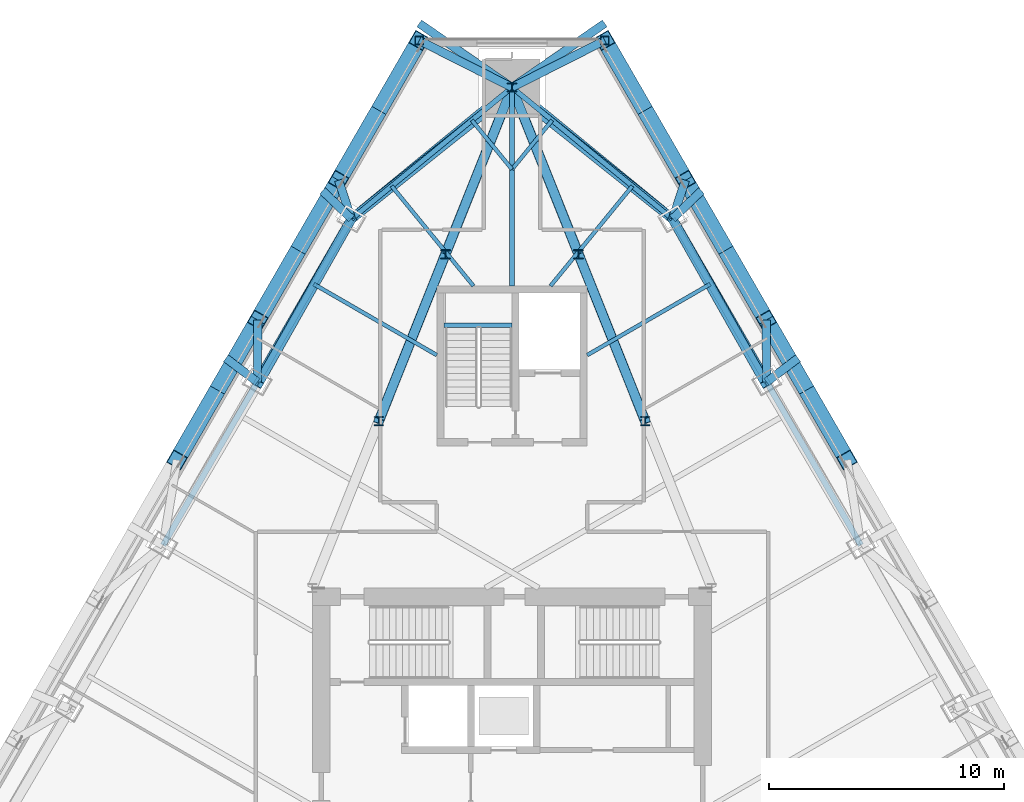
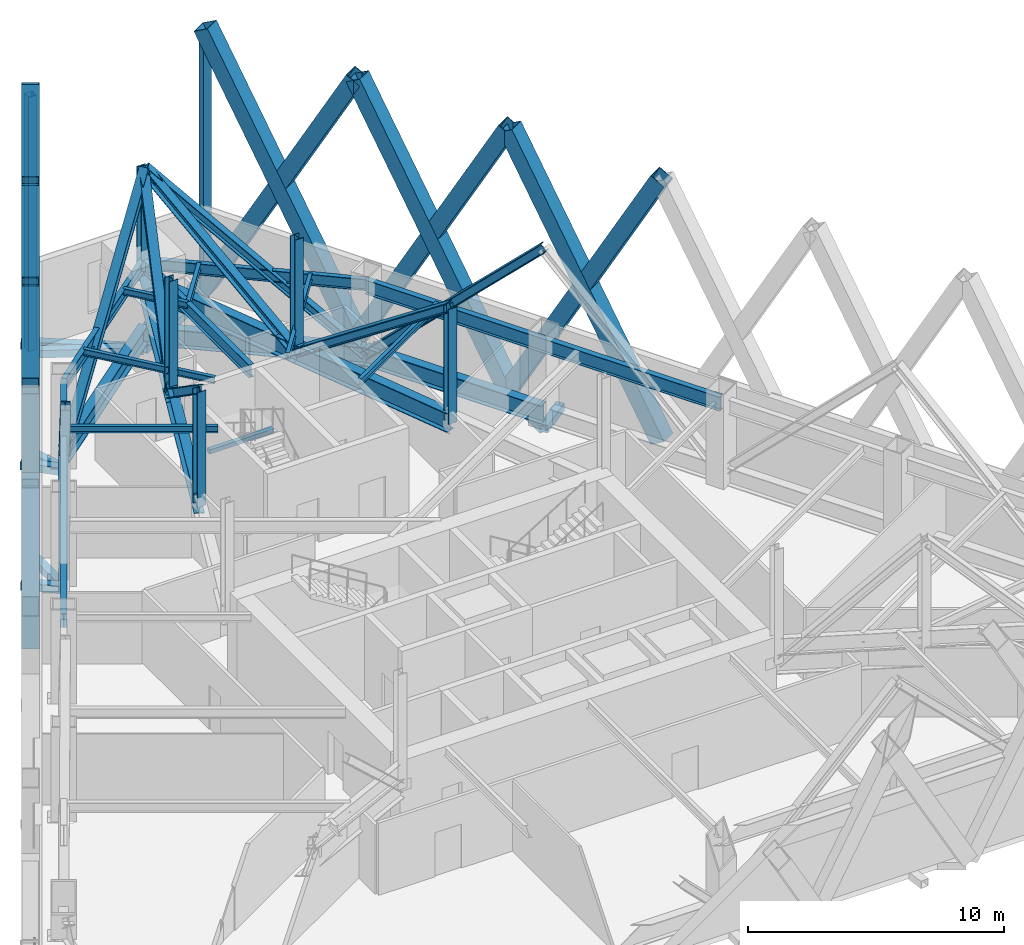
# One storey, part 5 of 16: 47 members, 12 beams.
"""IFC4 building model written with IfcOpenShell, lengths in metres."""

import ifcopenshell
import ifcopenshell.guid

model = None  # the IFC model being written
_history = None  # IfcOwnerHistory: only IFC2X3 demands one
_inside = {}  # id of a spatial element -> (the spatial element, [elements in it])
_under = {}  # id of a project, library or spatial element -> (it, [spatial elements below it])
_declared = {}  # id of a project -> (the project, [libraries it declares])
_typed = {}  # id of a type object -> (the type object, [elements of that type])
_made_of = {}  # id of a material, layer set ... -> (it, [elements and type objects made of it])


def new_model(schema):
    """Start an empty IFC model of exactly this schema.

    Asked for "IFC4X3", IfcOpenShell would pick the latest addendum, in which some entities
    have other attributes; the version numbers below select the first issue.
    IFC2X3 requires an IfcOwnerHistory on every rooted entity: one is made here for all.
    """
    global model, _history
    if schema == "IFC4X3":
        model = ifcopenshell.file(schema_version=(4, 3, 0, 0))
    else:
        model = ifcopenshell.file(schema=schema)
    _inside.clear()
    _under.clear()
    _declared.clear()
    _typed.clear()
    _made_of.clear()
    _history = None
    if model.schema == "IFC2X3":
        org = make("IfcOrganization", Name="unknown")
        user = make(
            "IfcPersonAndOrganization",
            ThePerson=make("IfcPerson", FamilyName="unknown"),
            TheOrganization=org,
        )
        app = make(
            "IfcApplication",
            ApplicationDeveloper=org,
            Version="unknown",
            ApplicationFullName="unknown",
            ApplicationIdentifier="unknown",
        )
        _history = make(
            "IfcOwnerHistory",
            OwningUser=user,
            OwningApplication=app,
            ChangeAction="ADDED",
            CreationDate=0,
        )
    return model


def make(cls, **values):
    """One entity of the class cls with the attributes given. An attribute that is None is left unset."""
    return model.create_entity(
        cls, **{name: value for name, value in values.items() if value is not None}
    )


def rooted(cls, **values):
    """An entity with a GlobalId (a new one), such as an element, a storey or a relation."""
    return make(cls, GlobalId=ifcopenshell.guid.new(), OwnerHistory=_history, **values)


def si_unit(unit_type, name, prefix=None):
    """IfcSIUnit, for example si_unit("LENGTHUNIT", "METRE", prefix="MILLI")."""
    return make("IfcSIUnit", UnitType=unit_type, Prefix=prefix, Name=name)


def assignment(units):
    """IfcUnitAssignment: the units of a project."""
    return None if units is None else make("IfcUnitAssignment", Units=units)


def point(xyz):
    """IfcCartesianPoint."""
    return None if xyz is None else make("IfcCartesianPoint", Coordinates=xyz)


def direction(xyz):
    """IfcDirection."""
    return None if xyz is None else make("IfcDirection", DirectionRatios=xyz)


def frame(location, z_axis=None, x_axis=None):
    """IfcAxis2Placement3D, a coordinate frame: its origin and axes. An axis left out is left unset."""
    return make(
        "IfcAxis2Placement3D",
        Location=point(location),
        Axis=direction(z_axis),
        RefDirection=direction(x_axis),
    )


def frame_2d(location, x_axis=None):
    """IfcAxis2Placement2D, a coordinate frame in the plane: its origin and x axis."""
    return make(
        "IfcAxis2Placement2D", Location=point(location), RefDirection=direction(x_axis)
    )


def origin():
    """The frame at (0, 0, 0) with its axes left unset."""
    return frame((0.0, 0.0, 0.0))


def origin_2d():
    """The frame at (0, 0) in the plane with its x axis left unset."""
    return frame_2d((0.0, 0.0))


def place(relative_to, where):
    """IfcLocalPlacement: puts the frame where relative to a parent placement (None: the world)."""
    return make(
        "IfcLocalPlacement", PlacementRelTo=relative_to, RelativePlacement=where
    )


def context(
    kind, dimensions, precision=None, world=None, true_north=None, identifier=None
):
    """IfcGeometricRepresentationContext, for example the 3D "Model" context."""
    return make(
        "IfcGeometricRepresentationContext",
        ContextIdentifier=identifier,
        ContextType=kind,
        CoordinateSpaceDimension=dimensions,
        Precision=precision,
        WorldCoordinateSystem=world,
        TrueNorth=true_north,
    )


def subcontext(parent, identifier, kind, view, scale=None):
    """IfcGeometricRepresentationSubContext, for example "Body" below "Model"."""
    return make(
        "IfcGeometricRepresentationSubContext",
        ContextIdentifier=identifier,
        ContextType=kind,
        ParentContext=parent,
        TargetScale=scale,
        TargetView=view,
    )


def project(units=None, contexts=None):
    """IfcProject with its units and contexts."""
    return rooted(
        "IfcProject",
        Name="project",
        RepresentationContexts=contexts,
        UnitsInContext=assignment(units),
    )


def spatial(cls, under=None, at=None, **own):
    """A site, building, storey or space (cls), placed at a placement, below another one or the project."""
    s = rooted(cls, ObjectPlacement=at, **own)
    if under is not None:
        _under.setdefault(under.id(), (under, []))[1].append(s)
    return s


def profile(cls, at=None, kind="AREA", **sizes):
    """A parametric profile (cls). Its sizes go by their IFC names, for example OverallWidth=200.0."""
    return make(cls, ProfileType=kind, Position=at, **sizes)


def rectangle(**sizes):
    """IfcRectangleProfileDef."""
    return profile("IfcRectangleProfileDef", **sizes)


def hollow_rectangle(**sizes):
    """IfcRectangleHollowProfileDef."""
    return profile("IfcRectangleHollowProfileDef", **sizes)


def i_section(**sizes):
    """IfcIShapeProfileDef."""
    return profile("IfcIShapeProfileDef", **sizes)


def extrude(swept, where, along, depth):
    """IfcExtrudedAreaSolid: the profile swept, set in the frame where, extruded along a direction by depth."""
    return make(
        "IfcExtrudedAreaSolid",
        SweptArea=swept,
        Position=where,
        ExtrudedDirection=direction(along),
        Depth=depth,
    )


def shape(context_of_items, identifier, shape_type, items):
    """IfcShapeRepresentation: the items that make up one representation, for example the "Body"."""
    return make(
        "IfcShapeRepresentation",
        ContextOfItems=context_of_items,
        RepresentationIdentifier=identifier,
        RepresentationType=shape_type,
        Items=items,
    )


def material(Name=None, Category=None):
    """IfcMaterial."""
    return make("IfcMaterial", Name=Name, Category=Category)


def material_profile(
    of_material, cross_section, Name=None, Category=None, Priority=None
):
    """IfcMaterialProfile: a cross section and its material."""
    return make(
        "IfcMaterialProfile",
        Name=Name,
        Material=of_material,
        Profile=cross_section,
        Priority=Priority,
        Category=Category,
    )


def profile_set(profiles, Name=None, composite=None):
    """IfcMaterialProfileSet."""
    return make(
        "IfcMaterialProfileSet",
        Name=Name,
        MaterialProfiles=profiles,
        CompositeProfile=composite,
    )


def made_of(thing, what):
    """Note that an element or type object is made of a material, layer set ...; save() writes the relation."""
    if what is not None:
        _made_of.setdefault(what.id(), (what, []))[1].append(thing)
    return thing


def type_object(cls, material=None, **own):
    """A type object (cls), such as IfcWallType, which elements share."""
    return made_of(rooted(cls, **own), material)


def element(
    cls,
    number,
    at=None,
    inside=None,
    cuts=None,
    type_object=None,
    material=None,
    context=None,
    identifier="Body",
    shape_type=None,
    held_by="IfcProductDefinitionShape",
    body=None,
    shapes=None,
    **own,
):
    """One element of the class cls, such as IfcWall. Its Tag is "e" and its number.

    at: its placement. inside: the storey or other place that contains it. cuts: it is an
    opening in that element (IfcRelVoidsElement). A single representation is given by context,
    identifier, shape_type and body (its items); several are given by shapes. held_by: the class
    of the entity that holds the representations. save() writes the other relations.
    """
    e = rooted(cls, Tag="e%d" % number, ObjectPlacement=at, **own)
    if body is not None:
        shapes = [shape(context, identifier, shape_type, body)]
    if shapes is not None:
        e.Representation = make(held_by, Representations=shapes)
    if inside is not None:
        _inside.setdefault(inside.id(), (inside, []))[1].append(e)
    if cuts is not None:
        rooted(
            "IfcRelVoidsElement", RelatingBuildingElement=cuts, RelatedOpeningElement=e
        )
    if type_object is not None:
        _typed.setdefault(type_object.id(), (type_object, []))[1].append(e)
    return made_of(e, material)


def aggregate(whole, parts):
    """IfcRelAggregates: a whole, such as a stair, and the parts it consists of."""
    return rooted("IfcRelAggregates", RelatingObject=whole, RelatedObjects=parts)


def save(model, path):
    """Write the relations noted so far, then the file.

    IfcRelAggregates (storeys below a building ...), IfcRelContainedInSpatialStructure (elements
    in a storey), IfcRelDefinesByType, IfcRelAssociatesMaterial and IfcRelDeclares: one each for
    every whole, place, type object, material and project.
    """
    for whole, parts in _under.values():
        aggregate(whole, parts)
    for where, things in _inside.values():
        rooted(
            "IfcRelContainedInSpatialStructure",
            RelatedElements=things,
            RelatingStructure=where,
        )
    for kind, things in _typed.values():
        rooted("IfcRelDefinesByType", RelatedObjects=things, RelatingType=kind)
    for what, things in _made_of.values():
        rooted("IfcRelAssociatesMaterial", RelatedObjects=things, RelatingMaterial=what)
    for by, libraries in _declared.values():
        rooted("IfcRelDeclares", RelatingContext=by, RelatedDefinitions=libraries)
    model.write(path)


model = new_model("IFC4")

# Units and contexts
model_context = context("Model", 3, precision=1e-05, world=origin(), true_north=direction((0.0, 1.0)))
body_context = subcontext(model_context, "Body", "Model", "MODEL_VIEW")
ifc_project = project(units=[si_unit("LENGTHUNIT", "METRE"), si_unit("AREAUNIT", "SQUARE_METRE"), si_unit("VOLUMEUNIT", "CUBIC_METRE"), si_unit("PLANEANGLEUNIT", "RADIAN"), si_unit("MASSUNIT", "GRAM", prefix="KILO")], contexts=[model_context])

# Site, building, storey
site_placement = place(None, origin())
site = spatial("IfcSite", under=ifc_project, at=site_placement, CompositionType="ELEMENT")
building_placement = place(site_placement, origin())
building = spatial("IfcBuilding", under=site, at=building_placement, Name="Firuza Gate Tower and Library", CompositionType="ELEMENT")
storey_placement = place(building_placement, frame((0.0, 0.0, 247.60009765625)))
storey = spatial("IfcBuildingStorey", under=building, at=storey_placement, Name="L58", CompositionType="ELEMENT", Elevation=247.60009765625)

# Members
ifc_material_1 = material(Name="Steel S355", Category="steel")
ifc_material_profile_1 = material_profile(ifc_material_1, hollow_rectangle(XDim=0.699951171875, YDim=0.699951171875, WallThickness=0.030029296875, at=origin_2d()))
ifc_profile_set_1 = profile_set([ifc_material_profile_1], Name="Steel S355")
member_type_1 = type_object("IfcMemberType", Name="BU700x700x30 Lattice brace", PredefinedType="BRACE", material=ifc_profile_set_1)
for number, where, z_axis, x_axis, name in (
    (1, (89.253662109375, 87.196533203125, 0.0), (-0.24086764545, 0.417192415111, 0.876318016561), (-0.866024062422, -0.500002323301, 0.0), "Lattice brace E 14.5R"),
    (2, (85.81787109375, 93.1474609375, 0.0), (0.24086764545, -0.417192415111, 0.876318016561), (0.866024062422, 0.500002323301, 0.0), "Lattice brace E 14.5L"),
    (3, (85.81787109375, 93.1474609375, 0.0), (-0.240869365347, 0.417178278333, 0.876324273842), (-0.866015179631, -0.500017708335, 0.0), "Lattice brace E 14.6R"),
    (4, (82.382080078125, 99.09814453125, 0.0), (0.240869365347, -0.417178278333, 0.876324273842), (0.866015179631, 0.500017708335, 0.0), "Lattice brace E 14.6L"),
    (5, (82.382080078125, 99.09814453125, 0.0), (-0.24086764545, 0.417192415111, 0.876318016561), (-0.866024062422, -0.500002323301, 0.0), "Lattice brace E 14.7R"),
    (6, (78.9462890625, 105.049072265625, 0.0), (0.24086764545, -0.417192415111, 0.876318016561), (0.866024062422, 0.500002323301, 0.0), "Lattice brace E 14.7L"),
    (7, (71.0537109375, 105.049072265625, 0.0), (-0.24086764545, -0.417192415111, 0.876318016561), (0.866024062422, -0.500002323301, 0.0), "Lattice brace W 14.1R"),
    (8, (67.617919921875, 99.09814453125, 0.0), (0.24086764545, 0.417192415111, 0.876318016561), (-0.866024062422, 0.500002323301, 0.0), "Lattice brace W 14.1L"),
    (9, (67.617919921875, 99.09814453125, 0.0), (-0.240869365347, -0.417178278333, 0.876324273842), (0.866015179631, -0.500017708335, 0.0), "Lattice brace W 14.2R"),
    (10, (64.18212890625, 93.1474609375, 0.0), (0.240869365347, 0.417178278333, 0.876324273842), (-0.866015179631, 0.500017708335, 0.0), "Lattice brace W 14.2L"),
    (11, (64.18212890625, 93.1474609375, 0.0), (-0.24086764545, -0.417192415111, 0.876318016561), (0.866024062422, -0.500002323301, 0.0), "Lattice brace W 14.3R"),
    (12, (60.746337890625, 87.196533203125, 0.0), (0.24086764545, 0.417192415111, 0.876318016561), (-0.866024062422, 0.500002323301, 0.0), "Lattice brace W 14.3L"),
):
    element("IfcMember", number, at=place(storey_placement, frame(where, z_axis=z_axis, x_axis=x_axis)), inside=storey, type_object=member_type_1, Name=name, PredefinedType="BRACE", context=body_context, shape_type="SweptSolid", body=[
        extrude(hollow_rectangle(XDim=0.699951171875, YDim=0.699951171875, WallThickness=0.030029296875, at=origin_2d()), origin(), (0.0, 0.0, 1.0), 14.26416015625),
    ])
ifc_material_2 = material(Name="Steel S355", Category="steel")
ifc_material_profile_2 = material_profile(ifc_material_2, hollow_rectangle(XDim=0.355712890625, YDim=0.355712890625, WallThickness=0.014892578125, at=origin_2d()))
ifc_profile_set_2 = profile_set([ifc_material_profile_2], Name="Steel S355")
member_type_2 = type_object("IfcMemberType", Name="HSS356x356x16 Lattice corner stile", PredefinedType="BRACE", material=ifc_profile_set_2)
for number, where, z_axis, x_axis, name in (
    (13, (78.9462890625, 105.049072265625, -0.14013671875), (0.0, 0.0, 1.0), (1.0, 0.0, 0.0), "Lattice corner stile E 14.B"),
    (14, (71.0537109375, 105.049072265625, -0.14013671875), (0.0, 0.0, 1.0), (1.0, 0.0, 0.0), "Lattice corner stile W 14.A"),
):
    element("IfcMember", number, at=place(storey_placement, frame(where, z_axis=z_axis, x_axis=x_axis)), inside=storey, type_object=member_type_2, Name=name, PredefinedType="BRACE", context=body_context, shape_type="SweptSolid", body=[
        extrude(hollow_rectangle(XDim=0.355712890625, YDim=0.355712890625, WallThickness=0.014892578125, at=origin_2d()), origin(), (0.0, 0.0, 1.0), 12.14013671875),
    ])
ifc_material_3 = material(Name="Steel S355", Category="steel")
ifc_material_profile_3 = material_profile(ifc_material_3, hollow_rectangle(XDim=0.355712890625, YDim=0.355712890625, WallThickness=0.014892578125, at=origin_2d()))
ifc_profile_set_3 = profile_set([ifc_material_profile_3], Name="Steel S355")
member_type_3 = type_object("IfcMemberType", Name="HSS356x356x16 Lattice node tie", PredefinedType="BRACE", material=ifc_profile_set_3)
member_1_placement = place(storey_placement, frame((81.828857421875, 97.456298828125, -0.320068359375), z_axis=(0.319312119111, 0.947649603276, 0.0), x_axis=(-0.947649603276, 0.319312119111, 0.0)))
element("IfcMember", 15, at=member_1_placement, inside=storey, type_object=member_type_3, Name="Lattice node tie E L58 322", PredefinedType="BRACE", context=body_context, shape_type="SweptSolid", body=[
    extrude(hollow_rectangle(XDim=0.355712890625, YDim=0.355712890625, WallThickness=0.014892578125, at=origin_2d()), origin(), (0.0, 0.0, 1.0), 1.732666015625),
])
member_2_placement = place(storey_placement, frame((75.0, 103.049072265625, -0.320068359375), z_axis=(0.823012515561, 0.568023238283, 0.0), x_axis=(-0.568023238283, 0.823012515561, 0.0)))
element("IfcMember", 16, at=member_2_placement, inside=storey, type_object=member_type_3, Name="Lattice node tie E L58 323", PredefinedType="BRACE", context=body_context, shape_type="SweptSolid", body=[
    extrude(hollow_rectangle(XDim=0.355712890625, YDim=0.355712890625, WallThickness=0.014892578125, at=origin_2d()), origin(), (0.0, 0.0, 1.0), 4.794921875),
])
member_3_placement = place(storey_placement, frame((75.0, 103.049072265625, -0.320068359375), z_axis=(0.891985934506, 0.452063151168, 0.0), x_axis=(-0.452063151168, 0.891985934506, 0.0)))
element("IfcMember", 17, at=member_3_placement, inside=storey, type_object=member_type_3, Name="Lattice node tie E L58 324", PredefinedType="BRACE", context=body_context, shape_type="SweptSolid", body=[
    extrude(hollow_rectangle(XDim=0.355712890625, YDim=0.355712890625, WallThickness=0.014892578125, at=origin_2d()), origin(), (0.0, 0.0, 1.0), 4.424072265625),
])
member_4_placement = place(storey_placement, frame((85.837158203125, 90.513671875, -0.320068359375), z_axis=(-0.007322755087, 0.99997318827, 0.0), x_axis=(-0.99997318827, -0.007322755087, 0.0)))
element("IfcMember", 18, at=member_4_placement, inside=storey, type_object=member_type_3, Name="Lattice node tie E L58 325", PredefinedType="BRACE", context=body_context, shape_type="SweptSolid", body=[
    extrude(hollow_rectangle(XDim=0.355712890625, YDim=0.355712890625, WallThickness=0.014892578125, at=origin_2d()), origin(), (0.0, 0.0, 1.0), 2.6337890625),
])
member_5_placement = place(storey_placement, frame((81.828857421875, 97.456298828125, -0.320068359375), z_axis=(0.717921969724, 0.696123584852, 0.0), x_axis=(-0.696123584852, 0.717921969724, 0.0)))
element("IfcMember", 19, at=member_5_placement, inside=storey, type_object=member_type_3, Name="Lattice node tie E L58 326", PredefinedType="BRACE", context=body_context, shape_type="SweptSolid", body=[
    extrude(hollow_rectangle(XDim=0.355712890625, YDim=0.355712890625, WallThickness=0.014892578125, at=origin_2d()), origin(), (0.0, 0.0, 1.0), 1.713623046875),
])
member_6_placement = place(storey_placement, frame((85.837158203125, 90.513671875, -0.320068359375), z_axis=(0.7968582295, 0.604166336433, 0.0), x_axis=(-0.604166336433, 0.7968582295, 0.0)))
element("IfcMember", 20, at=member_6_placement, inside=storey, type_object=member_type_3, Name="Lattice node tie E L58 328", PredefinedType="BRACE", context=body_context, shape_type="SweptSolid", body=[
    extrude(hollow_rectangle(XDim=0.355712890625, YDim=0.355712890625, WallThickness=0.014892578125, at=origin_2d()), origin(), (0.0, 0.0, 1.0), 1.675048828125),
])
member_7_placement = place(storey_placement, frame((64.162841796875, 90.513671875, -0.320068359375), z_axis=(0.007322755087, 0.99997318827, 0.0), x_axis=(-0.99997318827, 0.007322755087, 0.0)))
element("IfcMember", 21, at=member_7_placement, inside=storey, type_object=member_type_3, Name="Lattice node tie W L58 361", PredefinedType="BRACE", context=body_context, shape_type="SweptSolid", body=[
    extrude(hollow_rectangle(XDim=0.355712890625, YDim=0.355712890625, WallThickness=0.014892578125, at=origin_2d()), origin(), (0.0, 0.0, 1.0), 2.6337890625),
])
member_8_placement = place(storey_placement, frame((64.162841796875, 90.513671875, -0.320068359375), z_axis=(-0.7968582295, 0.604166336433, 0.0), x_axis=(-0.604166336433, -0.7968582295, 0.0)))
element("IfcMember", 22, at=member_8_placement, inside=storey, type_object=member_type_3, Name="Lattice node tie W L58 362", PredefinedType="BRACE", context=body_context, shape_type="SweptSolid", body=[
    extrude(hollow_rectangle(XDim=0.355712890625, YDim=0.355712890625, WallThickness=0.014892578125, at=origin_2d()), origin(), (0.0, 0.0, 1.0), 1.675048828125),
])
member_9_placement = place(storey_placement, frame((68.171142578125, 97.456298828125, -0.320068359375), z_axis=(-0.319312119111, 0.947649603276, 0.0), x_axis=(-0.947649603276, -0.319312119111, 0.0)))
element("IfcMember", 23, at=member_9_placement, inside=storey, type_object=member_type_3, Name="Lattice node tie W L58 363", PredefinedType="BRACE", context=body_context, shape_type="SweptSolid", body=[
    extrude(hollow_rectangle(XDim=0.355712890625, YDim=0.355712890625, WallThickness=0.014892578125, at=origin_2d()), origin(), (0.0, 0.0, 1.0), 1.732666015625),
])
member_10_placement = place(storey_placement, frame((68.171142578125, 97.456298828125, -0.320068359375), z_axis=(-0.717921969724, 0.696123584852, 0.0), x_axis=(-0.696123584852, -0.717921969724, 0.0)))
element("IfcMember", 24, at=member_10_placement, inside=storey, type_object=member_type_3, Name="Lattice node tie W L58 364", PredefinedType="BRACE", context=body_context, shape_type="SweptSolid", body=[
    extrude(hollow_rectangle(XDim=0.355712890625, YDim=0.355712890625, WallThickness=0.014892578125, at=origin_2d()), origin(), (0.0, 0.0, 1.0), 1.713623046875),
])
member_11_placement = place(storey_placement, frame((75.0, 103.049072265625, -0.320068359375), z_axis=(-0.823012515561, 0.568023238283, 0.0), x_axis=(-0.568023238283, -0.823012515561, 0.0)))
element("IfcMember", 25, at=member_11_placement, inside=storey, type_object=member_type_3, Name="Lattice node tie W L58 365", PredefinedType="BRACE", context=body_context, shape_type="SweptSolid", body=[
    extrude(hollow_rectangle(XDim=0.355712890625, YDim=0.355712890625, WallThickness=0.014892578125, at=origin_2d()), origin(), (0.0, 0.0, 1.0), 4.794921875),
])
member_12_placement = place(storey_placement, frame((75.0, 103.049072265625, -0.320068359375), z_axis=(-0.891985934506, 0.452063151168, 0.0), x_axis=(-0.452063151168, -0.891985934506, 0.0)))
element("IfcMember", 26, at=member_12_placement, inside=storey, type_object=member_type_3, Name="Lattice node tie W L58 366", PredefinedType="BRACE", context=body_context, shape_type="SweptSolid", body=[
    extrude(hollow_rectangle(XDim=0.355712890625, YDim=0.355712890625, WallThickness=0.014892578125, at=origin_2d()), origin(), (0.0, 0.0, 1.0), 4.424072265625),
])

# Beams
ifc_material_4 = material(Name="Concrete C35/45", Category="concrete")
ifc_material_profile_4 = material_profile(ifc_material_4, rectangle(XDim=0.199951171875, YDim=0.199951171875, at=origin_2d()))
ifc_profile_set_4 = profile_set([ifc_material_profile_4], Name="Concrete C35/45")
beam_type_1 = type_object("IfcBeamType", Name="Stair landing bearer 200x200", PredefinedType="BEAM", material=ifc_profile_set_4)
beam_1_placement = place(storey_placement, frame((75.0, 92.929931640625, 1.949951171875), z_axis=(-1.0, 0.0, 0.0), x_axis=(0.0, -1.0, 0.0)))
element("IfcBeam", 27, at=beam_1_placement, inside=storey, type_object=beam_type_1, Name="Landing bearer L58 stair 3", PredefinedType="BEAM", context=body_context, shape_type="SweptSolid", body=[
    extrude(rectangle(XDim=0.199951171875, YDim=0.199951171875, at=origin_2d()), origin(), (0.0, 0.0, 1.0), 2.89990234375),
])
ifc_material_5 = material(Name="Steel S355", Category="steel")
ifc_material_profile_5 = material_profile(ifc_material_5, i_section(OverallWidth=0.1650390625, OverallDepth=0.31005859375, WebThickness=0.005859375, FlangeThickness=0.009765625, at=origin_2d()))
ifc_profile_set_5 = profile_set([ifc_material_profile_5], Name="Steel S355")
beam_type_2 = type_object("IfcBeamType", Name="W310x39 Floor beam", PredefinedType="JOIST", material=ifc_profile_set_5)
beam_2_placement = place(storey_placement, frame((83.43212890625, 94.67919921875, 3.89501953125), z_axis=(-0.866028791726, -0.499994131866, 0.0), x_axis=(0.499994131866, -0.866028791726, 0.0)))
element("IfcBeam", 28, at=beam_2_placement, inside=storey, type_object=beam_type_2, Name="Floor beam L58 s54", PredefinedType="JOIST", context=body_context, shape_type="SweptSolid", body=[
    extrude(i_section(OverallWidth=0.1650390625, OverallDepth=0.31005859375, WebThickness=0.005859375, FlangeThickness=0.009765625, at=origin_2d()), origin(), (0.0, 0.0, 1.0), 6.04150390625),
])
beam_3_placement = place(storey_placement, frame((80.12158203125, 98.8544921875, 3.89501953125), z_axis=(-0.633593121264, -0.773666437611, 0.0), x_axis=(0.773666437611, -0.633593121264, 0.0)))
element("IfcBeam", 29, at=beam_3_placement, inside=storey, type_object=beam_type_2, Name="Floor beam L58 s60", PredefinedType="JOIST", context=body_context, shape_type="SweptSolid", body=[
    extrude(i_section(OverallWidth=0.1650390625, OverallDepth=0.31005859375, WebThickness=0.005859375, FlangeThickness=0.009765625, at=origin_2d()), origin(), (0.0, 0.0, 1.0), 5.4990234375),
])
for number, where, z_axis, x_axis, name in (
    (30, (76.707275390625, 101.65087890625, 3.89501953125), (-0.633592962546, -0.773666567594, 0.0), (0.773666567594, -0.633592962546, 0.0), "Floor beam L58 s61"),
    (31, (73.292724609375, 101.65087890625, 3.89501953125), (0.633592962546, -0.773666567594, 0.0), (0.773666567594, 0.633592962546, 0.0), "Floor beam L58 s70"),
):
    element("IfcBeam", number, at=place(storey_placement, frame(where, z_axis=z_axis, x_axis=x_axis)), inside=storey, type_object=beam_type_2, Name=name, PredefinedType="JOIST", context=body_context, shape_type="SweptSolid", body=[
        extrude(i_section(OverallWidth=0.1650390625, OverallDepth=0.31005859375, WebThickness=0.005859375, FlangeThickness=0.009765625, at=origin_2d()), origin(), (0.0, 0.0, 1.0), 2.694580078125),
    ])
beam_4_placement = place(storey_placement, frame((69.87841796875, 98.8544921875, 3.89501953125), z_axis=(0.633593121264, -0.773666437611, 0.0), x_axis=(0.773666437611, 0.633593121264, 0.0)))
element("IfcBeam", 32, at=beam_4_placement, inside=storey, type_object=beam_type_2, Name="Floor beam L58 s71", PredefinedType="JOIST", context=body_context, shape_type="SweptSolid", body=[
    extrude(i_section(OverallWidth=0.1650390625, OverallDepth=0.31005859375, WebThickness=0.005859375, FlangeThickness=0.009765625, at=origin_2d()), origin(), (0.0, 0.0, 1.0), 5.4990234375),
])
beam_5_placement = place(storey_placement, frame((66.56787109375, 94.67919921875, 3.89501953125), z_axis=(0.866028791726, -0.499994131866, 0.0), x_axis=(0.499994131866, 0.866028791726, 0.0)))
element("IfcBeam", 33, at=beam_5_placement, inside=storey, type_object=beam_type_2, Name="Floor beam L58 s80", PredefinedType="JOIST", context=body_context, shape_type="SweptSolid", body=[
    extrude(i_section(OverallWidth=0.1650390625, OverallDepth=0.31005859375, WebThickness=0.005859375, FlangeThickness=0.009765625, at=origin_2d()), origin(), (0.0, 0.0, 1.0), 6.04150390625),
])

# Members
ifc_material_6 = material(Name="Steel S355", Category="steel")
ifc_material_profile_6 = material_profile(ifc_material_6, i_section(OverallWidth=0.39404296875, OverallDepth=0.375, WebThickness=0.017333984375, FlangeThickness=0.027587890625, at=origin_2d()))
ifc_profile_set_6 = profile_set([ifc_material_profile_6], Name="Steel S355")
member_type_4 = type_object("IfcMemberType", Name="W360x216 Belt truss diagonal", PredefinedType="BRACE", material=ifc_profile_set_6)
member_13_placement = place(storey_placement, frame((85.795654296875, 90.441650390625, 8.372314453125), z_axis=(-0.350535102484, 0.619865495112, -0.702062611094), x_axis=(-0.870456740053, -0.492244922469, 0.0)))
element("IfcMember", 34, at=member_13_placement, inside=storey, type_object=member_type_4, Name="Belt truss diagonal L58 12", PredefinedType="BRACE", context=body_context, shape_type="SweptSolid", body=[
    extrude(i_section(OverallWidth=0.39404296875, OverallDepth=0.375, WebThickness=0.017333984375, FlangeThickness=0.027587890625, at=origin_2d()), origin(), (0.0, 0.0, 1.0), 11.31640625),
])
for number, where, z_axis, x_axis, name in (
    (35, (81.828857421875, 97.456298828125, 0.427490234375), (-0.578302529593, 0.461405654175, 0.672808298524), (-0.623675501506, -0.781683355855, 0.0), "Belt truss diagonal L58 13"),
    (36, (75.0, 102.90478515625, 8.372314453125), (-0.578302529593, -0.461405654175, -0.672808298524), (0.623675501506, -0.781683355855, 0.0), "Belt truss diagonal L58 14"),
):
    element("IfcMember", number, at=place(storey_placement, frame(where, z_axis=z_axis, x_axis=x_axis)), inside=storey, type_object=member_type_4, Name=name, PredefinedType="BRACE", context=body_context, shape_type="SweptSolid", body=[
        extrude(i_section(OverallWidth=0.39404296875, OverallDepth=0.375, WebThickness=0.017333984375, FlangeThickness=0.027587890625, at=origin_2d()), origin(), (0.0, 0.0, 1.0), 11.808349609375),
    ])
member_14_placement = place(storey_placement, frame((68.171142578125, 97.456298828125, 0.427490234375), z_axis=(-0.350535102484, -0.619865495112, 0.702062611094), x_axis=(0.870456740053, -0.492244922469, 0.0)))
element("IfcMember", 37, at=member_14_placement, inside=storey, type_object=member_type_4, Name="Belt truss diagonal L58 15", PredefinedType="BRACE", context=body_context, shape_type="SweptSolid", body=[
    extrude(i_section(OverallWidth=0.39404296875, OverallDepth=0.375, WebThickness=0.017333984375, FlangeThickness=0.027587890625, at=origin_2d()), origin(), (0.0, 0.0, 1.0), 11.31640625),
])
ifc_material_7 = material(Name="Steel S355", Category="steel")
ifc_material_profile_7 = material_profile(ifc_material_7, i_section(OverallWidth=0.39404296875, OverallDepth=0.375, WebThickness=0.017333984375, FlangeThickness=0.027587890625, at=origin_2d()))
ifc_profile_set_7 = profile_set([ifc_material_profile_7], Name="Steel S355")
member_type_5 = type_object("IfcMemberType", Name="W360x216 Outrigger post", PredefinedType="POST", material=ifc_profile_set_7)
for number, where, z_axis, x_axis, name in (
    (38, (69.333251953125, 88.849609375, 2.85595703125), (0.0, 0.0, 1.0), (1.0, 0.0, 0.0), "Outrigger NW L58 post 2"),
    (39, (72.166748046875, 95.94921875, 2.85595703125), (0.0, 0.0, 1.0), (1.0, 0.0, 0.0), "Outrigger NW L58 post 3"),
    (40, (75.0, 103.049072265625, 2.85595703125), (0.0, 0.0, 1.0), (1.0, 0.0, 0.0), "Outrigger NW L58 post 4"),
    (41, (80.666748046875, 88.849609375, 2.85595703125), (0.0, 0.0, 1.0), (1.0, 0.0, 0.0), "Outrigger NE L58 post 2"),
    (42, (77.833251953125, 95.94921875, 2.85595703125), (0.0, 0.0, 1.0), (1.0, 0.0, 0.0), "Outrigger NE L58 post 3"),
):
    element("IfcMember", number, at=place(storey_placement, frame(where, z_axis=z_axis, x_axis=x_axis)), inside=storey, type_object=member_type_5, Name=name, PredefinedType="POST", context=body_context, shape_type="SweptSolid", body=[
        extrude(i_section(OverallWidth=0.39404296875, OverallDepth=0.375, WebThickness=0.017333984375, FlangeThickness=0.027587890625, at=origin_2d()), origin(), (0.0, 0.0, 1.0), 5.488037109375),
    ])
ifc_material_8 = material(Name="Steel S355", Category="steel")
ifc_material_profile_8 = material_profile(ifc_material_8, i_section(OverallWidth=0.39794921875, OverallDepth=0.386962890625, WebThickness=0.02099609375, FlangeThickness=0.033203125, at=origin_2d()))
ifc_profile_set_8 = profile_set([ifc_material_profile_8], Name="Steel S355")
member_type_6 = type_object("IfcMemberType", Name="W360x262 Outrigger diagonal", PredefinedType="BRACE", material=ifc_profile_set_8)
member_15_placement = place(storey_placement, frame((69.333251953125, 88.849609375, 8.343994140625), z_axis=(0.301109290235, 0.754459603656, -0.583201424711), x_axis=(-0.928762757375, 0.370674709838, 0.0)))
element("IfcMember", 43, at=member_15_placement, inside=storey, type_object=member_type_6, Name="Outrigger NW L58 diagonal 2", PredefinedType="BRACE", context=body_context, shape_type="SweptSolid", body=[
    extrude(i_section(OverallWidth=0.39794921875, OverallDepth=0.386962890625, WebThickness=0.02099609375, FlangeThickness=0.033203125, at=origin_2d()), origin(), (0.0, 0.0, 1.0), 9.41015625),
])
member_16_placement = place(storey_placement, frame((72.166748046875, 95.94921875, 2.85595703125), z_axis=(0.301079804521, 0.75447667344, 0.583194564914), x_axis=(-0.928778139927, 0.370636164983, 0.0)))
element("IfcMember", 44, at=member_16_placement, inside=storey, type_object=member_type_6, Name="Outrigger NW L58 diagonal 3", PredefinedType="BRACE", context=body_context, shape_type="SweptSolid", body=[
    extrude(i_section(OverallWidth=0.39794921875, OverallDepth=0.386962890625, WebThickness=0.02099609375, FlangeThickness=0.033203125, at=origin_2d()), origin(), (0.0, 0.0, 1.0), 9.410400390625),
])
member_17_placement = place(storey_placement, frame((80.666748046875, 88.849609375, 8.343994140625), z_axis=(-0.301109290235, 0.754459603656, -0.583201424711), x_axis=(-0.928762757375, -0.370674709838, 0.0)))
element("IfcMember", 45, at=member_17_placement, inside=storey, type_object=member_type_6, Name="Outrigger NE L58 diagonal 2", PredefinedType="BRACE", context=body_context, shape_type="SweptSolid", body=[
    extrude(i_section(OverallWidth=0.39794921875, OverallDepth=0.386962890625, WebThickness=0.02099609375, FlangeThickness=0.033203125, at=origin_2d()), origin(), (0.0, 0.0, 1.0), 9.41015625),
])
member_18_placement = place(storey_placement, frame((77.833251953125, 95.94921875, 2.85595703125), z_axis=(-0.301079804521, 0.75447667344, 0.583194564914), x_axis=(-0.928778139927, -0.370636164983, 0.0)))
element("IfcMember", 46, at=member_18_placement, inside=storey, type_object=member_type_6, Name="Outrigger NE L58 diagonal 3", PredefinedType="BRACE", context=body_context, shape_type="SweptSolid", body=[
    extrude(i_section(OverallWidth=0.39794921875, OverallDepth=0.386962890625, WebThickness=0.02099609375, FlangeThickness=0.033203125, at=origin_2d()), origin(), (0.0, 0.0, 1.0), 9.410400390625),
])

# Beams
ifc_material_9 = material(Name="Steel S355", Category="steel")
ifc_material_profile_9 = material_profile(ifc_material_9, i_section(OverallWidth=0.212890625, OverallDepth=0.5390625, WebThickness=0.01171875, FlangeThickness=0.018798828125, at=origin_2d()))
ifc_profile_set_9 = profile_set([ifc_material_profile_9], Name="Steel S355")
beam_type_3 = type_object("IfcBeamType", Name="W530x109 Edge beam", PredefinedType="SPANDREL", material=ifc_profile_set_9)
for number, where, z_axis, x_axis, name in (
    (47, (81.828857421875, 97.456298828125, 3.780517578125), (-0.773650357561, 0.633612755747, 0.0), (-0.633612755747, -0.773650357561, 0.0), "Edge beam L58 e60"),
    (48, (75.0, 103.049072265625, 3.780517578125), (-0.773650357561, -0.633612755747, 0.0), (0.633612755747, -0.773650357561, 0.0), "Edge beam L58 e70"),
):
    element("IfcBeam", number, at=place(storey_placement, frame(where, z_axis=z_axis, x_axis=x_axis)), inside=storey, type_object=beam_type_3, Name=name, PredefinedType="SPANDREL", context=body_context, shape_type="SweptSolid", body=[
        extrude(i_section(OverallWidth=0.212890625, OverallDepth=0.5390625, WebThickness=0.01171875, FlangeThickness=0.018798828125, at=origin_2d()), origin(), (0.0, 0.0, 1.0), 8.826904296875),
    ])
ifc_material_10 = material(Name="Steel S355", Category="steel")
ifc_material_profile_10 = material_profile(ifc_material_10, i_section(OverallWidth=0.22802734375, OverallDepth=0.60302734375, WebThickness=0.010498046875, FlangeThickness=0.014892578125, at=origin_2d()))
ifc_profile_set_10 = profile_set([ifc_material_profile_10], Name="Steel S355")
beam_type_4 = type_object("IfcBeamType", Name="W610x101 Girder", PredefinedType="BEAM", material=ifc_profile_set_10)
beam_6_placement = place(storey_placement, frame((75.0, 103.049072265625, 3.748291015625), z_axis=(0.0, -1.0, 0.0), x_axis=(1.0, 0.0, 0.0)))
element("IfcBeam", 49, at=beam_6_placement, inside=storey, type_object=beam_type_4, Name="Girder L58 gN", PredefinedType="BEAM", context=body_context, shape_type="SweptSolid", body=[
    extrude(i_section(OverallWidth=0.22802734375, OverallDepth=0.60302734375, WebThickness=0.010498046875, FlangeThickness=0.014892578125, at=origin_2d()), origin(), (0.0, 0.0, 1.0), 8.448974609375),
])
ifc_material_11 = material(Name="Steel S355", Category="steel")
ifc_material_profile_11 = material_profile(ifc_material_11, i_section(OverallWidth=0.2529296875, OverallDepth=0.677978515625, WebThickness=0.01171875, FlangeThickness=0.016357421875, at=origin_2d()))
ifc_profile_set_11 = profile_set([ifc_material_profile_11], Name="Steel S355")
beam_type_5 = type_object("IfcBeamType", Name="W690x125 Edge beam", PredefinedType="SPANDREL", material=ifc_profile_set_11)
for number, where, z_axis, x_axis, name in (
    (50, (89.845458984375, 83.571044921875, 3.7109375), (-0.499997496548, 0.866026849149, 0.0), (-0.866026849149, -0.499997496548, 0.0), "Edge beam L58 e52"),
    (51, (68.171142578125, 97.456298828125, 3.7109375), (-0.499997496548, -0.866026849149, 0.0), (0.866026849149, -0.499997496548, 0.0), "Edge beam L58 e80"),
):
    element("IfcBeam", number, at=place(storey_placement, frame(where, z_axis=z_axis, x_axis=x_axis)), inside=storey, type_object=beam_type_5, Name=name, PredefinedType="SPANDREL", context=body_context, shape_type="SweptSolid", body=[
        extrude(i_section(OverallWidth=0.2529296875, OverallDepth=0.677978515625, WebThickness=0.01171875, FlangeThickness=0.016357421875, at=origin_2d()), origin(), (0.0, 0.0, 1.0), 16.033203125),
    ])

# Members
ifc_material_12 = material(Name="Steel S355", Category="steel")
ifc_material_profile_12 = material_profile(ifc_material_12, i_section(OverallWidth=0.39990234375, OverallDepth=0.85498046875, WebThickness=0.018310546875, FlangeThickness=0.029296875, at=origin_2d()))
ifc_profile_set_12 = profile_set([ifc_material_profile_12], Name="Steel S355")
member_type_7 = type_object("IfcMemberType", Name="W840x299 Belt truss chord", PredefinedType="CHORD", material=ifc_profile_set_12)
member_19_placement = place(storey_placement, frame((85.837158203125, 90.513671875, 0.427490234375), z_axis=(-0.499997496548, 0.866026849149, 0.0), x_axis=(-0.866026849149, -0.499997496548, 0.0)))
element("IfcMember", 52, at=member_19_placement, inside=storey, type_object=member_type_7, Name="Belt truss bottom chord L58 12", PredefinedType="CHORD", context=body_context, shape_type="SweptSolid", body=[
    extrude(i_section(OverallWidth=0.39990234375, OverallDepth=0.85498046875, WebThickness=0.018310546875, FlangeThickness=0.029296875, at=origin_2d()), origin(), (0.0, 0.0, 1.0), 8.0166015625),
])
for number, where, z_axis, x_axis, name in (
    (53, (81.828857421875, 97.456298828125, 0.427490234375), (-0.773650357561, 0.633612755747, 0.0), (-0.633612755747, -0.773650357561, 0.0), "Belt truss bottom chord L58 13"),
    (54, (75.0, 103.049072265625, 0.427490234375), (-0.773650357561, -0.633612755747, 0.0), (0.633612755747, -0.773650357561, 0.0), "Belt truss bottom chord L58 14"),
):
    element("IfcMember", number, at=place(storey_placement, frame(where, z_axis=z_axis, x_axis=x_axis)), inside=storey, type_object=member_type_7, Name=name, PredefinedType="CHORD", context=body_context, shape_type="SweptSolid", body=[
        extrude(i_section(OverallWidth=0.39990234375, OverallDepth=0.85498046875, WebThickness=0.018310546875, FlangeThickness=0.029296875, at=origin_2d()), origin(), (0.0, 0.0, 1.0), 8.826904296875),
    ])
member_20_placement = place(storey_placement, frame((68.171142578125, 97.456298828125, 0.427490234375), z_axis=(-0.499997496548, -0.866026849149, 0.0), x_axis=(0.866026849149, -0.499997496548, 0.0)))
element("IfcMember", 55, at=member_20_placement, inside=storey, type_object=member_type_7, Name="Belt truss bottom chord L58 15", PredefinedType="CHORD", context=body_context, shape_type="SweptSolid", body=[
    extrude(i_section(OverallWidth=0.39990234375, OverallDepth=0.85498046875, WebThickness=0.018310546875, FlangeThickness=0.029296875, at=origin_2d()), origin(), (0.0, 0.0, 1.0), 8.0166015625),
])
ifc_material_13 = material(Name="Steel S355", Category="steel")
ifc_material_profile_13 = material_profile(ifc_material_13, i_section(OverallWidth=0.41796875, OverallDepth=0.912109375, WebThickness=0.019287109375, FlangeThickness=0.031982421875, at=origin_2d()))
ifc_profile_set_13 = profile_set([ifc_material_profile_13], Name="Steel S355")
member_type_8 = type_object("IfcMemberType", Name="W920x342 Outrigger chord", PredefinedType="CHORD", material=ifc_profile_set_13)
member_21_placement = place(storey_placement, frame((69.333251953125, 88.849609375, 2.85595703125), z_axis=(0.370674709838, 0.928762757375, 0.0), x_axis=(-0.928762757375, 0.370674709838, 0.0)))
element("IfcMember", 56, at=member_21_placement, inside=storey, type_object=member_type_8, Name="Outrigger NW L58 bottom chord 2", PredefinedType="CHORD", context=body_context, shape_type="SweptSolid", body=[
    extrude(i_section(OverallWidth=0.41796875, OverallDepth=0.912109375, WebThickness=0.019287109375, FlangeThickness=0.031982421875, at=origin_2d()), origin(), (0.0, 0.0, 1.0), 7.64404296875),
])
member_22_placement = place(storey_placement, frame((72.166748046875, 95.94921875, 2.85595703125), z_axis=(0.370636164983, 0.928778139927, 0.0), x_axis=(-0.928778139927, 0.370636164983, 0.0)))
element("IfcMember", 57, at=member_22_placement, inside=storey, type_object=member_type_8, Name="Outrigger NW L58 bottom chord 3", PredefinedType="CHORD", context=body_context, shape_type="SweptSolid", body=[
    extrude(i_section(OverallWidth=0.41796875, OverallDepth=0.912109375, WebThickness=0.019287109375, FlangeThickness=0.031982421875, at=origin_2d()), origin(), (0.0, 0.0, 1.0), 7.644287109375),
])
member_23_placement = place(storey_placement, frame((80.666748046875, 88.849609375, 2.85595703125), z_axis=(-0.370674709838, 0.928762757375, 0.0), x_axis=(-0.928762757375, -0.370674709838, 0.0)))
element("IfcMember", 58, at=member_23_placement, inside=storey, type_object=member_type_8, Name="Outrigger NE L58 bottom chord 2", PredefinedType="CHORD", context=body_context, shape_type="SweptSolid", body=[
    extrude(i_section(OverallWidth=0.41796875, OverallDepth=0.912109375, WebThickness=0.019287109375, FlangeThickness=0.031982421875, at=origin_2d()), origin(), (0.0, 0.0, 1.0), 7.64404296875),
])
member_24_placement = place(storey_placement, frame((77.833251953125, 95.94921875, 2.85595703125), z_axis=(-0.370636164983, 0.928778139927, 0.0), x_axis=(-0.928778139927, -0.370636164983, 0.0)))
element("IfcMember", 59, at=member_24_placement, inside=storey, type_object=member_type_8, Name="Outrigger NE L58 bottom chord 3", PredefinedType="CHORD", context=body_context, shape_type="SweptSolid", body=[
    extrude(i_section(OverallWidth=0.41796875, OverallDepth=0.912109375, WebThickness=0.019287109375, FlangeThickness=0.031982421875, at=origin_2d()), origin(), (0.0, 0.0, 1.0), 7.644287109375),
])

save(model, "model.ifc")
